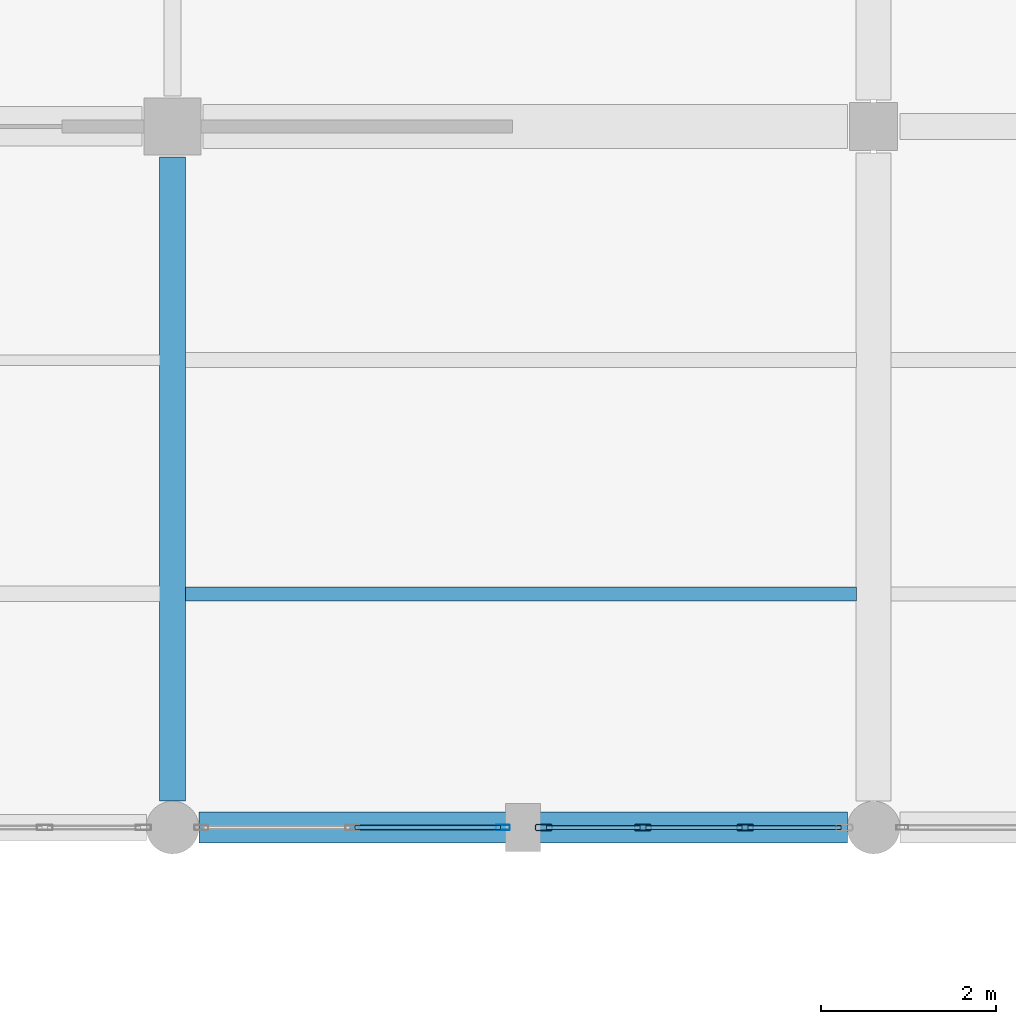
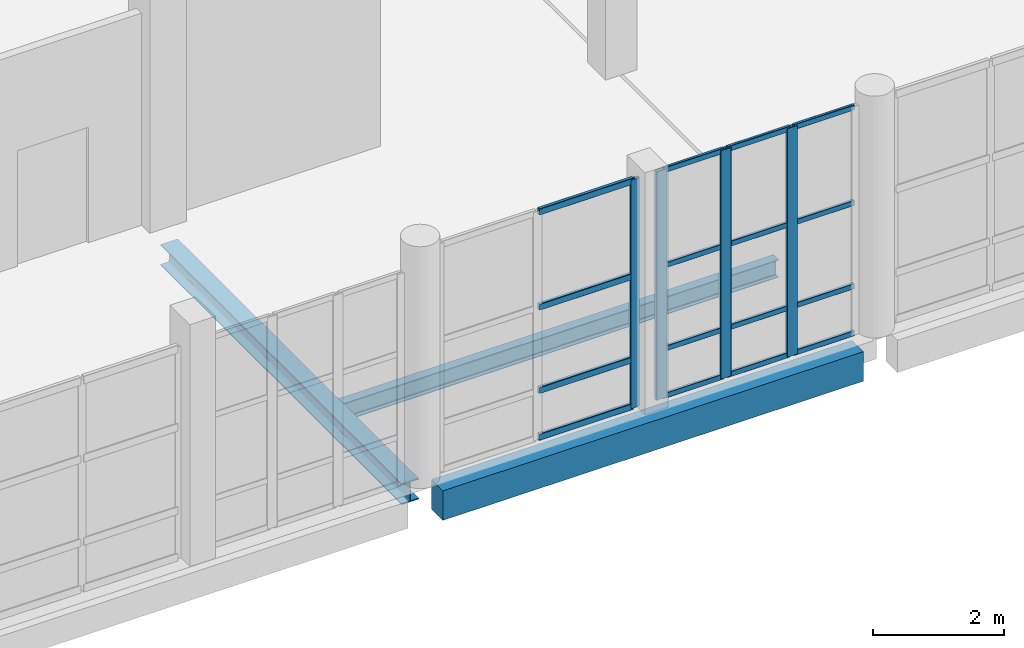
# One storey, part 27 of 183: 20 members, 3 beams, 2 elements without a shape of their own.
"""IFC4 building model written with IfcOpenShell, lengths in metres."""

import ifcopenshell
import ifcopenshell.guid

model = None  # the IFC model being written
_history = None  # IfcOwnerHistory: only IFC2X3 demands one
_inside = {}  # id of a spatial element -> (the spatial element, [elements in it])
_under = {}  # id of a project, library or spatial element -> (it, [spatial elements below it])
_declared = {}  # id of a project -> (the project, [libraries it declares])
_typed = {}  # id of a type object -> (the type object, [elements of that type])
_made_of = {}  # id of a material, layer set ... -> (it, [elements and type objects made of it])


def new_model(schema):
    """Start an empty IFC model of exactly this schema.

    Asked for "IFC4X3", IfcOpenShell would pick the latest addendum, in which some entities
    have other attributes; the version numbers below select the first issue.
    IFC2X3 requires an IfcOwnerHistory on every rooted entity: one is made here for all.
    """
    global model, _history
    if schema == "IFC4X3":
        model = ifcopenshell.file(schema_version=(4, 3, 0, 0))
    else:
        model = ifcopenshell.file(schema=schema)
    _inside.clear()
    _under.clear()
    _declared.clear()
    _typed.clear()
    _made_of.clear()
    _history = None
    if model.schema == "IFC2X3":
        org = make("IfcOrganization", Name="unknown")
        user = make(
            "IfcPersonAndOrganization",
            ThePerson=make("IfcPerson", FamilyName="unknown"),
            TheOrganization=org,
        )
        app = make(
            "IfcApplication",
            ApplicationDeveloper=org,
            Version="unknown",
            ApplicationFullName="unknown",
            ApplicationIdentifier="unknown",
        )
        _history = make(
            "IfcOwnerHistory",
            OwningUser=user,
            OwningApplication=app,
            ChangeAction="ADDED",
            CreationDate=0,
        )
    return model


def make(cls, **values):
    """One entity of the class cls with the attributes given. An attribute that is None is left unset."""
    return model.create_entity(
        cls, **{name: value for name, value in values.items() if value is not None}
    )


def rooted(cls, **values):
    """An entity with a GlobalId (a new one), such as an element, a storey or a relation."""
    return make(cls, GlobalId=ifcopenshell.guid.new(), OwnerHistory=_history, **values)


def si_unit(unit_type, name, prefix=None):
    """IfcSIUnit, for example si_unit("LENGTHUNIT", "METRE", prefix="MILLI")."""
    return make("IfcSIUnit", UnitType=unit_type, Prefix=prefix, Name=name)


def assignment(units):
    """IfcUnitAssignment: the units of a project."""
    return None if units is None else make("IfcUnitAssignment", Units=units)


def point(xyz):
    """IfcCartesianPoint."""
    return None if xyz is None else make("IfcCartesianPoint", Coordinates=xyz)


def direction(xyz):
    """IfcDirection."""
    return None if xyz is None else make("IfcDirection", DirectionRatios=xyz)


def frame(location, z_axis=None, x_axis=None):
    """IfcAxis2Placement3D, a coordinate frame: its origin and axes. An axis left out is left unset."""
    return make(
        "IfcAxis2Placement3D",
        Location=point(location),
        Axis=direction(z_axis),
        RefDirection=direction(x_axis),
    )


def frame_2d(location, x_axis=None):
    """IfcAxis2Placement2D, a coordinate frame in the plane: its origin and x axis."""
    return make(
        "IfcAxis2Placement2D", Location=point(location), RefDirection=direction(x_axis)
    )


def origin():
    """The frame at (0, 0, 0) with its axes left unset."""
    return frame((0.0, 0.0, 0.0))


def origin_2d():
    """The frame at (0, 0) in the plane with its x axis left unset."""
    return frame_2d((0.0, 0.0))


def place(relative_to, where):
    """IfcLocalPlacement: puts the frame where relative to a parent placement (None: the world)."""
    return make(
        "IfcLocalPlacement", PlacementRelTo=relative_to, RelativePlacement=where
    )


def context(
    kind, dimensions, precision=None, world=None, true_north=None, identifier=None
):
    """IfcGeometricRepresentationContext, for example the 3D "Model" context."""
    return make(
        "IfcGeometricRepresentationContext",
        ContextIdentifier=identifier,
        ContextType=kind,
        CoordinateSpaceDimension=dimensions,
        Precision=precision,
        WorldCoordinateSystem=world,
        TrueNorth=true_north,
    )


def subcontext(parent, identifier, kind, view, scale=None):
    """IfcGeometricRepresentationSubContext, for example "Body" below "Model"."""
    return make(
        "IfcGeometricRepresentationSubContext",
        ContextIdentifier=identifier,
        ContextType=kind,
        ParentContext=parent,
        TargetScale=scale,
        TargetView=view,
    )


def project(units=None, contexts=None):
    """IfcProject with its units and contexts."""
    return rooted(
        "IfcProject",
        Name="project",
        RepresentationContexts=contexts,
        UnitsInContext=assignment(units),
    )


def spatial(cls, under=None, at=None, **own):
    """A site, building, storey or space (cls), placed at a placement, below another one or the project."""
    s = rooted(cls, ObjectPlacement=at, **own)
    if under is not None:
        _under.setdefault(under.id(), (under, []))[1].append(s)
    return s


def profile(cls, at=None, kind="AREA", **sizes):
    """A parametric profile (cls). Its sizes go by their IFC names, for example OverallWidth=200.0."""
    return make(cls, ProfileType=kind, Position=at, **sizes)


def rectangle(**sizes):
    """IfcRectangleProfileDef."""
    return profile("IfcRectangleProfileDef", **sizes)


def hollow_rectangle(**sizes):
    """IfcRectangleHollowProfileDef."""
    return profile("IfcRectangleHollowProfileDef", **sizes)


def i_section(**sizes):
    """IfcIShapeProfileDef."""
    return profile("IfcIShapeProfileDef", **sizes)


def extrude(swept, where, along, depth):
    """IfcExtrudedAreaSolid: the profile swept, set in the frame where, extruded along a direction by depth."""
    return make(
        "IfcExtrudedAreaSolid",
        SweptArea=swept,
        Position=where,
        ExtrudedDirection=direction(along),
        Depth=depth,
    )


def shape(context_of_items, identifier, shape_type, items):
    """IfcShapeRepresentation: the items that make up one representation, for example the "Body"."""
    return make(
        "IfcShapeRepresentation",
        ContextOfItems=context_of_items,
        RepresentationIdentifier=identifier,
        RepresentationType=shape_type,
        Items=items,
    )


def material(Name=None, Category=None):
    """IfcMaterial."""
    return make("IfcMaterial", Name=Name, Category=Category)


def material_profile(
    of_material, cross_section, Name=None, Category=None, Priority=None
):
    """IfcMaterialProfile: a cross section and its material."""
    return make(
        "IfcMaterialProfile",
        Name=Name,
        Material=of_material,
        Profile=cross_section,
        Priority=Priority,
        Category=Category,
    )


def profile_set(profiles, Name=None, composite=None):
    """IfcMaterialProfileSet."""
    return make(
        "IfcMaterialProfileSet",
        Name=Name,
        MaterialProfiles=profiles,
        CompositeProfile=composite,
    )


def made_of(thing, what):
    """Note that an element or type object is made of a material, layer set ...; save() writes the relation."""
    if what is not None:
        _made_of.setdefault(what.id(), (what, []))[1].append(thing)
    return thing


def type_object(cls, material=None, **own):
    """A type object (cls), such as IfcWallType, which elements share."""
    return made_of(rooted(cls, **own), material)


def element(
    cls,
    number,
    at=None,
    inside=None,
    cuts=None,
    type_object=None,
    material=None,
    context=None,
    identifier="Body",
    shape_type=None,
    held_by="IfcProductDefinitionShape",
    body=None,
    shapes=None,
    **own,
):
    """One element of the class cls, such as IfcWall. Its Tag is "e" and its number.

    at: its placement. inside: the storey or other place that contains it. cuts: it is an
    opening in that element (IfcRelVoidsElement). A single representation is given by context,
    identifier, shape_type and body (its items); several are given by shapes. held_by: the class
    of the entity that holds the representations. save() writes the other relations.
    """
    e = rooted(cls, Tag="e%d" % number, ObjectPlacement=at, **own)
    if body is not None:
        shapes = [shape(context, identifier, shape_type, body)]
    if shapes is not None:
        e.Representation = make(held_by, Representations=shapes)
    if inside is not None:
        _inside.setdefault(inside.id(), (inside, []))[1].append(e)
    if cuts is not None:
        rooted(
            "IfcRelVoidsElement", RelatingBuildingElement=cuts, RelatedOpeningElement=e
        )
    if type_object is not None:
        _typed.setdefault(type_object.id(), (type_object, []))[1].append(e)
    return made_of(e, material)


def aggregate(whole, parts):
    """IfcRelAggregates: a whole, such as a stair, and the parts it consists of."""
    return rooted("IfcRelAggregates", RelatingObject=whole, RelatedObjects=parts)


def save(model, path):
    """Write the relations noted so far, then the file.

    IfcRelAggregates (storeys below a building ...), IfcRelContainedInSpatialStructure (elements
    in a storey), IfcRelDefinesByType, IfcRelAssociatesMaterial and IfcRelDeclares: one each for
    every whole, place, type object, material and project.
    """
    for whole, parts in _under.values():
        aggregate(whole, parts)
    for where, things in _inside.values():
        rooted(
            "IfcRelContainedInSpatialStructure",
            RelatedElements=things,
            RelatingStructure=where,
        )
    for kind, things in _typed.values():
        rooted("IfcRelDefinesByType", RelatedObjects=things, RelatingType=kind)
    for what, things in _made_of.values():
        rooted("IfcRelAssociatesMaterial", RelatedObjects=things, RelatingMaterial=what)
    for by, libraries in _declared.values():
        rooted("IfcRelDeclares", RelatingContext=by, RelatedDefinitions=libraries)
    model.write(path)


model = new_model("IFC4")

# Units and contexts
model_context = context("Model", 3, precision=1e-05, world=origin(), true_north=direction((0.0, 1.0)))
body_context = subcontext(model_context, "Body", "Model", "MODEL_VIEW")
ifc_project = project(units=[si_unit("LENGTHUNIT", "METRE"), si_unit("AREAUNIT", "SQUARE_METRE"), si_unit("VOLUMEUNIT", "CUBIC_METRE"), si_unit("PLANEANGLEUNIT", "RADIAN"), si_unit("MASSUNIT", "GRAM", prefix="KILO")], contexts=[model_context])

# Site, building, storey
site_placement = place(None, origin())
site = spatial("IfcSite", under=ifc_project, at=site_placement, CompositionType="ELEMENT")
building_placement = place(site_placement, origin())
building = spatial("IfcBuilding", under=site, at=building_placement, Name="Luwemba Playhouse", CompositionType="ELEMENT")
storey_placement = place(building_placement, frame((0.0, 0.0, 4.800048828125)))
storey = spatial("IfcBuildingStorey", under=building, at=storey_placement, Name="L01", CompositionType="ELEMENT", Elevation=4.800048828125)

# Beams
ifc_material_1 = material(Name="Steel S355", Category="steel")
ifc_material_profile_1 = material_profile(ifc_material_1, i_section(OverallWidth=0.300048828125, OverallDepth=0.389892578125, WebThickness=0.010986328125, FlangeThickness=0.01904296875, FilletRadius=0.027099609375, at=origin_2d()))
ifc_profile_set_1 = profile_set([ifc_material_profile_1], Name="Steel S355")
beam_type_1 = type_object("IfcBeamType", Name="BM-SB05", PredefinedType="BEAM", material=ifc_profile_set_1)
beam_1_placement = place(storey_placement, frame((44.0, 3.300048828125, -0.445068359375), z_axis=(0.0, 1.0, 0.0), x_axis=(-1.0, 0.0, 0.0)))
element("IfcBeam", 1, at=beam_1_placement, inside=storey, type_object=beam_type_1, Name="L01 transverse girder 0510", PredefinedType="BEAM", context=body_context, shape_type="SweptSolid", body=[
    extrude(i_section(OverallWidth=0.300048828125, OverallDepth=0.389892578125, WebThickness=0.010986328125, FlangeThickness=0.01904296875, FilletRadius=0.027099609375, at=origin_2d()), origin(), (0.0, 0.0, 1.0), 7.349853515625),
])
ifc_material_profile_2 = material_profile(ifc_material_1, i_section(OverallWidth=0.159912109375, OverallDepth=0.330078125, WebThickness=0.007568359375, FlangeThickness=0.011474609375, FilletRadius=0.01806640625, at=origin_2d()))
ifc_profile_set_2 = profile_set([ifc_material_profile_2], Name="Steel S355")
beam_type_2 = type_object("IfcBeamType", Name="BM-SJ06", PredefinedType="JOIST", material=ifc_profile_set_2)
beam_2_placement = place(storey_placement, frame((44.14599609375, 5.666748046875, -0.4150390625), z_axis=(1.0, 0.0, 0.0), x_axis=(0.0, 1.0, 0.0)))
element("IfcBeam", 2, at=beam_2_placement, inside=storey, type_object=beam_type_2, Name="L01 composite floor joist 0295", PredefinedType="JOIST", context=body_context, shape_type="SweptSolid", body=[
    extrude(i_section(OverallWidth=0.159912109375, OverallDepth=0.330078125, WebThickness=0.007568359375, FlangeThickness=0.011474609375, FilletRadius=0.01806640625, at=origin_2d()), origin(), (0.0, 0.0, 1.0), 7.657958984375),
])
ifc_material_2 = material(Name="Concrete C40/50", Category="concrete")
ifc_material_profile_3 = material_profile(ifc_material_2, rectangle(XDim=0.35009765625, YDim=0.550048828125, at=origin_2d()))
ifc_profile_set_3 = profile_set([ifc_material_profile_3], Name="Concrete C40/50")
beam_type_3 = type_object("IfcBeamType", Name="BM-SP2", PredefinedType="SPANDREL", material=ifc_profile_set_3)
beam_3_placement = place(storey_placement, frame((44.300048828125, 3.0, -0.525146484375), z_axis=(1.0, 0.0, 0.0), x_axis=(0.0, 1.0, 0.0)))
element("IfcBeam", 3, at=beam_3_placement, inside=storey, type_object=beam_type_3, Name="L01 grid girder 0473", PredefinedType="SPANDREL", context=body_context, shape_type="SweptSolid", body=[
    extrude(rectangle(XDim=0.35009765625, YDim=0.550048828125, at=origin_2d()), origin(), (0.0, 0.0, 1.0), 7.39990234375),
])

# Curtain wall, member
ifc_material_3 = material(Name="Solar-control double glazing", Category="glass")
curtain_wall_type_1 = type_object("IfcCurtainWallType", Name="CW-CW110", PredefinedType="USERDEFINED", material=ifc_material_3)
curtain_wall_1_placement = place(storey_placement, origin())
curtain_wall_1 = element("IfcCurtainWall", 4, at=curtain_wall_1_placement, inside=storey, type_object=curtain_wall_type_1, Name="L01 V5W unitised curtain wall 142", ObjectType="UNITISED GLAZING", PredefinedType="USERDEFINED")
ifc_material_4 = material(Name="Aluminium 6063-T6", Category="aluminium")
ifc_material_profile_4 = material_profile(ifc_material_4, hollow_rectangle(XDim=0.06005859375, YDim=0.159912109375, WallThickness=0.00390625, InnerFilletRadius=0.006103515625, OuterFilletRadius=0.010009765625, at=origin_2d()))
ifc_profile_set_4 = profile_set([ifc_material_profile_4], Name="Aluminium 6063-T6")
member_type_1 = type_object("IfcMemberType", Name="CWM-M1", PredefinedType="MULLION", material=ifc_profile_set_4)
member_1_placement = place(storey_placement, frame((47.77001953125, 3.0, 0.0), z_axis=(0.0, 0.0, 1.0), x_axis=(0.0, -1.0, 0.0)))
member_1 = element("IfcMember", 5, at=member_1_placement, type_object=member_type_1, Name="CW110 mullion 1", PredefinedType="MULLION", context=body_context, shape_type="SweptSolid", body=[
    extrude(hollow_rectangle(XDim=0.06005859375, YDim=0.159912109375, WallThickness=0.00390625, InnerFilletRadius=0.006103515625, OuterFilletRadius=0.010009765625, at=origin_2d()), origin(), (0.0, 0.0, 1.0), 4.25),
])

# Curtain wall, members
curtain_wall_type_2 = type_object("IfcCurtainWallType", Name="CW-CW109", PredefinedType="USERDEFINED", material=ifc_material_3)
curtain_wall_2_placement = place(storey_placement, origin())
curtain_wall_2 = element("IfcCurtainWall", 6, at=curtain_wall_2_placement, inside=storey, type_object=curtain_wall_type_2, Name="L01 V5W unitised curtain wall 141", ObjectType="UNITISED GLAZING", PredefinedType="USERDEFINED")
ifc_material_profile_5 = material_profile(ifc_material_4, hollow_rectangle(XDim=0.070068359375, YDim=0.18994140625, WallThickness=0.0048828125, InnerFilletRadius=0.007568359375, OuterFilletRadius=0.012451171875, at=origin_2d()))
ifc_profile_set_5 = profile_set([ifc_material_profile_5], Name="Aluminium 6063-T6")
member_type_2 = type_object("IfcMemberType", Name="CWM-M4", PredefinedType="MULLION", material=ifc_profile_set_5)
member_2_placement = place(storey_placement, frame((50.533447265625, 3.0, 0.0), z_axis=(0.0, 0.0, 1.0), x_axis=(0.0, -1.0, 0.0)))
member_2 = element("IfcMember", 7, at=member_2_placement, type_object=member_type_2, Name="CW109 mullion 2", PredefinedType="MULLION", context=body_context, shape_type="SweptSolid", body=[
    extrude(hollow_rectangle(XDim=0.070068359375, YDim=0.18994140625, WallThickness=0.0048828125, InnerFilletRadius=0.007568359375, OuterFilletRadius=0.012451171875, at=origin_2d()), origin(), (0.0, 0.0, 1.0), 4.25),
])
member_3_placement = place(storey_placement, frame((49.36669921875, 3.0, 0.0), z_axis=(0.0, 0.0, 1.0), x_axis=(0.0, -1.0, 0.0)))
member_3 = element("IfcMember", 8, at=member_3_placement, type_object=member_type_2, Name="CW109 mullion 3", PredefinedType="MULLION", context=body_context, shape_type="SweptSolid", body=[
    extrude(hollow_rectangle(XDim=0.070068359375, YDim=0.18994140625, WallThickness=0.0048828125, InnerFilletRadius=0.007568359375, OuterFilletRadius=0.012451171875, at=origin_2d()), origin(), (0.0, 0.0, 1.0), 4.25),
])
member_4_placement = place(storey_placement, frame((48.235107421875, 3.0, 0.0), z_axis=(0.0, 0.0, 1.0), x_axis=(0.0, -1.0, 0.0)))
member_4 = element("IfcMember", 9, at=member_4_placement, type_object=member_type_2, Name="CW109 mullion 4", PredefinedType="MULLION", context=body_context, shape_type="SweptSolid", body=[
    extrude(hollow_rectangle(XDim=0.070068359375, YDim=0.18994140625, WallThickness=0.0048828125, InnerFilletRadius=0.007568359375, OuterFilletRadius=0.012451171875, at=origin_2d()), origin(), (0.0, 0.0, 1.0), 4.25),
])

# Member
ifc_material_profile_6 = material_profile(ifc_material_4, hollow_rectangle(XDim=0.06005859375, YDim=0.1201171875, WallThickness=0.00390625, InnerFilletRadius=0.006103515625, OuterFilletRadius=0.010009765625, at=origin_2d()))
ifc_profile_set_6 = profile_set([ifc_material_profile_6], Name="Aluminium 6063-T6")
member_type_3 = type_object("IfcMemberType", Name="CWT-T1", PredefinedType="USERDEFINED", material=ifc_profile_set_6)
member_5_placement = place(storey_placement, frame((47.739990234375, 3.0, 0.030029296875), z_axis=(-1.0, 0.0, 0.0), x_axis=(0.0, -1.0, 0.0)))
member_5 = element("IfcMember", 10, at=member_5_placement, type_object=member_type_3, Name="CW110 transom 1.1", ObjectType="TRANSOM", PredefinedType="USERDEFINED", context=body_context, shape_type="SweptSolid", body=[
    extrude(hollow_rectangle(XDim=0.06005859375, YDim=0.1201171875, WallThickness=0.00390625, InnerFilletRadius=0.006103515625, OuterFilletRadius=0.010009765625, at=origin_2d()), origin(), (0.0, 0.0, 1.0), 1.659912109375),
])

member_6_placement = place(storey_placement, frame((47.739990234375, 3.0, 0.89990234375), z_axis=(-1.0, 0.0, 0.0), x_axis=(0.0, -1.0, 0.0)))
member_6 = element("IfcMember", 11, at=member_6_placement, type_object=member_type_3, Name="CW110 transom 1.2", ObjectType="TRANSOM", PredefinedType="USERDEFINED", context=body_context, shape_type="SweptSolid", body=[
    extrude(hollow_rectangle(XDim=0.06005859375, YDim=0.1201171875, WallThickness=0.00390625, InnerFilletRadius=0.006103515625, OuterFilletRadius=0.010009765625, at=origin_2d()), origin(), (0.0, 0.0, 1.0), 1.659912109375),
])

member_7_placement = place(storey_placement, frame((47.739990234375, 3.0, 2.449951171875), z_axis=(-1.0, 0.0, 0.0), x_axis=(0.0, -1.0, 0.0)))
member_7 = element("IfcMember", 12, at=member_7_placement, type_object=member_type_3, Name="CW110 transom 1.3", ObjectType="TRANSOM", PredefinedType="USERDEFINED", context=body_context, shape_type="SweptSolid", body=[
    extrude(hollow_rectangle(XDim=0.06005859375, YDim=0.1201171875, WallThickness=0.00390625, InnerFilletRadius=0.006103515625, OuterFilletRadius=0.010009765625, at=origin_2d()), origin(), (0.0, 0.0, 1.0), 1.659912109375),
])

member_8_placement = place(storey_placement, frame((47.739990234375, 3.0, 4.219970703125), z_axis=(-1.0, 0.0, 0.0), x_axis=(0.0, -1.0, 0.0)))
member_8 = element("IfcMember", 13, at=member_8_placement, type_object=member_type_3, Name="CW110 transom 1.4", ObjectType="TRANSOM", PredefinedType="USERDEFINED", context=body_context, shape_type="SweptSolid", body=[
    extrude(hollow_rectangle(XDim=0.06005859375, YDim=0.1201171875, WallThickness=0.00390625, InnerFilletRadius=0.006103515625, OuterFilletRadius=0.010009765625, at=origin_2d()), origin(), (0.0, 0.0, 1.0), 1.659912109375),
])

aggregate(curtain_wall_1, [member_1, member_5, member_6, member_7, member_8])

ifc_material_profile_7 = material_profile(ifc_material_4, hollow_rectangle(XDim=0.050048828125, YDim=0.10009765625, WallThickness=0.00341796875, InnerFilletRadius=0.00537109375, OuterFilletRadius=0.0087890625, at=origin_2d()))
ifc_profile_set_7 = profile_set([ifc_material_profile_7], Name="Aluminium 6063-T6")
member_type_4 = type_object("IfcMemberType", Name="CWT-T4", PredefinedType="USERDEFINED", material=ifc_profile_set_7)
member_9_placement = place(storey_placement, frame((51.6298828125, 3.0, 0.02490234375), z_axis=(-1.0, 0.0, 0.0), x_axis=(0.0, -1.0, 0.0)))
member_9 = element("IfcMember", 14, at=member_9_placement, type_object=member_type_4, Name="CW109 transom 1.1", ObjectType="TRANSOM", PredefinedType="USERDEFINED", context=body_context, shape_type="SweptSolid", body=[
    extrude(hollow_rectangle(XDim=0.050048828125, YDim=0.10009765625, WallThickness=0.00341796875, InnerFilletRadius=0.00537109375, OuterFilletRadius=0.0087890625, at=origin_2d()), origin(), (0.0, 0.0, 1.0), 1.0615234375),
])

member_10_placement = place(storey_placement, frame((51.6298828125, 3.0, 0.89990234375), z_axis=(-1.0, 0.0, 0.0), x_axis=(0.0, -1.0, 0.0)))
member_10 = element("IfcMember", 15, at=member_10_placement, type_object=member_type_4, Name="CW109 transom 1.2", ObjectType="TRANSOM", PredefinedType="USERDEFINED", context=body_context, shape_type="SweptSolid", body=[
    extrude(hollow_rectangle(XDim=0.050048828125, YDim=0.10009765625, WallThickness=0.00341796875, InnerFilletRadius=0.00537109375, OuterFilletRadius=0.0087890625, at=origin_2d()), origin(), (0.0, 0.0, 1.0), 1.0615234375),
])

member_11_placement = place(storey_placement, frame((51.6298828125, 3.0, 2.449951171875), z_axis=(-1.0, 0.0, 0.0), x_axis=(0.0, -1.0, 0.0)))
member_11 = element("IfcMember", 16, at=member_11_placement, type_object=member_type_4, Name="CW109 transom 1.3", ObjectType="TRANSOM", PredefinedType="USERDEFINED", context=body_context, shape_type="SweptSolid", body=[
    extrude(hollow_rectangle(XDim=0.050048828125, YDim=0.10009765625, WallThickness=0.00341796875, InnerFilletRadius=0.00537109375, OuterFilletRadius=0.0087890625, at=origin_2d()), origin(), (0.0, 0.0, 1.0), 1.0615234375),
])

member_12_placement = place(storey_placement, frame((51.6298828125, 3.0, 4.224853515625), z_axis=(-1.0, 0.0, 0.0), x_axis=(0.0, -1.0, 0.0)))
member_12 = element("IfcMember", 17, at=member_12_placement, type_object=member_type_4, Name="CW109 transom 1.4", ObjectType="TRANSOM", PredefinedType="USERDEFINED", context=body_context, shape_type="SweptSolid", body=[
    extrude(hollow_rectangle(XDim=0.050048828125, YDim=0.10009765625, WallThickness=0.00341796875, InnerFilletRadius=0.00537109375, OuterFilletRadius=0.0087890625, at=origin_2d()), origin(), (0.0, 0.0, 1.0), 1.0615234375),
])

member_13_placement = place(storey_placement, frame((50.498291015625, 3.0, 0.02490234375), z_axis=(-1.0, 0.0, 0.0), x_axis=(0.0, -1.0, 0.0)))
member_13 = element("IfcMember", 18, at=member_13_placement, type_object=member_type_4, Name="CW109 transom 2.1", ObjectType="TRANSOM", PredefinedType="USERDEFINED", context=body_context, shape_type="SweptSolid", body=[
    extrude(hollow_rectangle(XDim=0.050048828125, YDim=0.10009765625, WallThickness=0.00341796875, InnerFilletRadius=0.00537109375, OuterFilletRadius=0.0087890625, at=origin_2d()), origin(), (0.0, 0.0, 1.0), 1.0966796875),
])

member_14_placement = place(storey_placement, frame((50.498291015625, 3.0, 0.89990234375), z_axis=(-1.0, 0.0, 0.0), x_axis=(0.0, -1.0, 0.0)))
member_14 = element("IfcMember", 19, at=member_14_placement, type_object=member_type_4, Name="CW109 transom 2.2", ObjectType="TRANSOM", PredefinedType="USERDEFINED", context=body_context, shape_type="SweptSolid", body=[
    extrude(hollow_rectangle(XDim=0.050048828125, YDim=0.10009765625, WallThickness=0.00341796875, InnerFilletRadius=0.00537109375, OuterFilletRadius=0.0087890625, at=origin_2d()), origin(), (0.0, 0.0, 1.0), 1.0966796875),
])

member_15_placement = place(storey_placement, frame((50.498291015625, 3.0, 2.449951171875), z_axis=(-1.0, 0.0, 0.0), x_axis=(0.0, -1.0, 0.0)))
member_15 = element("IfcMember", 20, at=member_15_placement, type_object=member_type_4, Name="CW109 transom 2.3", ObjectType="TRANSOM", PredefinedType="USERDEFINED", context=body_context, shape_type="SweptSolid", body=[
    extrude(hollow_rectangle(XDim=0.050048828125, YDim=0.10009765625, WallThickness=0.00341796875, InnerFilletRadius=0.00537109375, OuterFilletRadius=0.0087890625, at=origin_2d()), origin(), (0.0, 0.0, 1.0), 1.0966796875),
])

member_16_placement = place(storey_placement, frame((50.498291015625, 3.0, 4.224853515625), z_axis=(-1.0, 0.0, 0.0), x_axis=(0.0, -1.0, 0.0)))
member_16 = element("IfcMember", 21, at=member_16_placement, type_object=member_type_4, Name="CW109 transom 2.4", ObjectType="TRANSOM", PredefinedType="USERDEFINED", context=body_context, shape_type="SweptSolid", body=[
    extrude(hollow_rectangle(XDim=0.050048828125, YDim=0.10009765625, WallThickness=0.00341796875, InnerFilletRadius=0.00537109375, OuterFilletRadius=0.0087890625, at=origin_2d()), origin(), (0.0, 0.0, 1.0), 1.0966796875),
])

member_17_placement = place(storey_placement, frame((49.331787109375, 3.0, 0.02490234375), z_axis=(-1.0, 0.0, 0.0), x_axis=(0.0, -1.0, 0.0)))
member_17 = element("IfcMember", 22, at=member_17_placement, type_object=member_type_4, Name="CW109 transom 3.1", ObjectType="TRANSOM", PredefinedType="USERDEFINED", context=body_context, shape_type="SweptSolid", body=[
    extrude(hollow_rectangle(XDim=0.050048828125, YDim=0.10009765625, WallThickness=0.00341796875, InnerFilletRadius=0.00537109375, OuterFilletRadius=0.0087890625, at=origin_2d()), origin(), (0.0, 0.0, 1.0), 1.061767578125),
])

member_18_placement = place(storey_placement, frame((49.331787109375, 3.0, 0.89990234375), z_axis=(-1.0, 0.0, 0.0), x_axis=(0.0, -1.0, 0.0)))
member_18 = element("IfcMember", 23, at=member_18_placement, type_object=member_type_4, Name="CW109 transom 3.2", ObjectType="TRANSOM", PredefinedType="USERDEFINED", context=body_context, shape_type="SweptSolid", body=[
    extrude(hollow_rectangle(XDim=0.050048828125, YDim=0.10009765625, WallThickness=0.00341796875, InnerFilletRadius=0.00537109375, OuterFilletRadius=0.0087890625, at=origin_2d()), origin(), (0.0, 0.0, 1.0), 1.061767578125),
])

member_19_placement = place(storey_placement, frame((49.331787109375, 3.0, 2.449951171875), z_axis=(-1.0, 0.0, 0.0), x_axis=(0.0, -1.0, 0.0)))
member_19 = element("IfcMember", 24, at=member_19_placement, type_object=member_type_4, Name="CW109 transom 3.3", ObjectType="TRANSOM", PredefinedType="USERDEFINED", context=body_context, shape_type="SweptSolid", body=[
    extrude(hollow_rectangle(XDim=0.050048828125, YDim=0.10009765625, WallThickness=0.00341796875, InnerFilletRadius=0.00537109375, OuterFilletRadius=0.0087890625, at=origin_2d()), origin(), (0.0, 0.0, 1.0), 1.061767578125),
])

member_20_placement = place(storey_placement, frame((49.331787109375, 3.0, 4.224853515625), z_axis=(-1.0, 0.0, 0.0), x_axis=(0.0, -1.0, 0.0)))
member_20 = element("IfcMember", 25, at=member_20_placement, type_object=member_type_4, Name="CW109 transom 3.4", ObjectType="TRANSOM", PredefinedType="USERDEFINED", context=body_context, shape_type="SweptSolid", body=[
    extrude(hollow_rectangle(XDim=0.050048828125, YDim=0.10009765625, WallThickness=0.00341796875, InnerFilletRadius=0.00537109375, OuterFilletRadius=0.0087890625, at=origin_2d()), origin(), (0.0, 0.0, 1.0), 1.061767578125),
])

aggregate(curtain_wall_2, [member_2, member_3, member_4, member_9, member_10, member_11, member_12, member_13, member_14, member_15, member_16, member_17, member_18, member_19, member_20])

save(model, "model.ifc")
